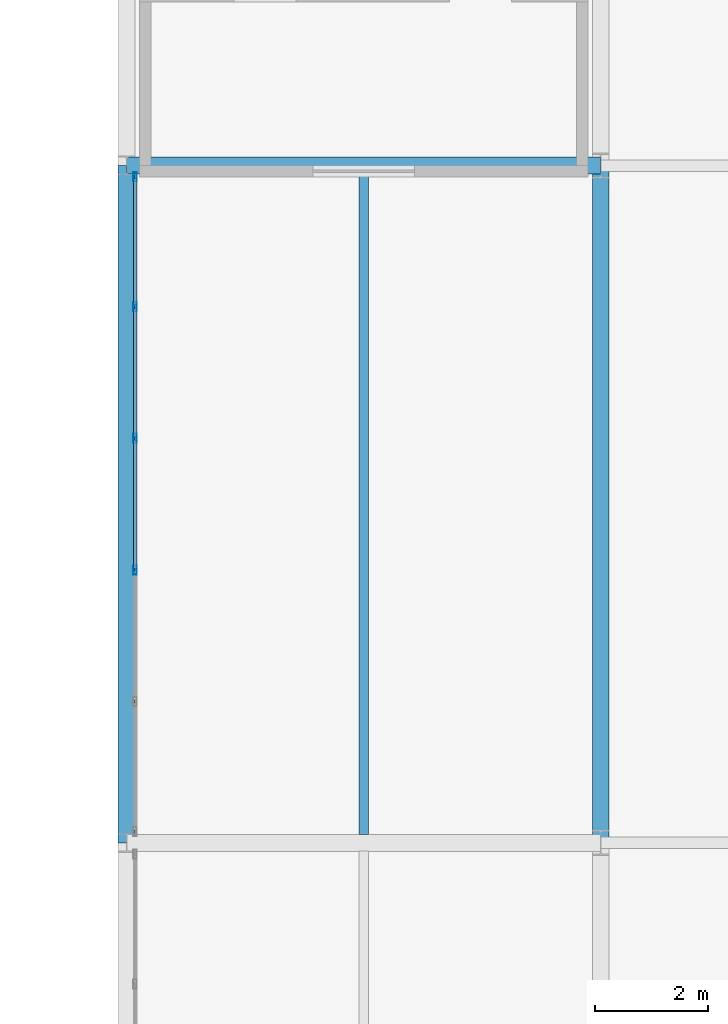
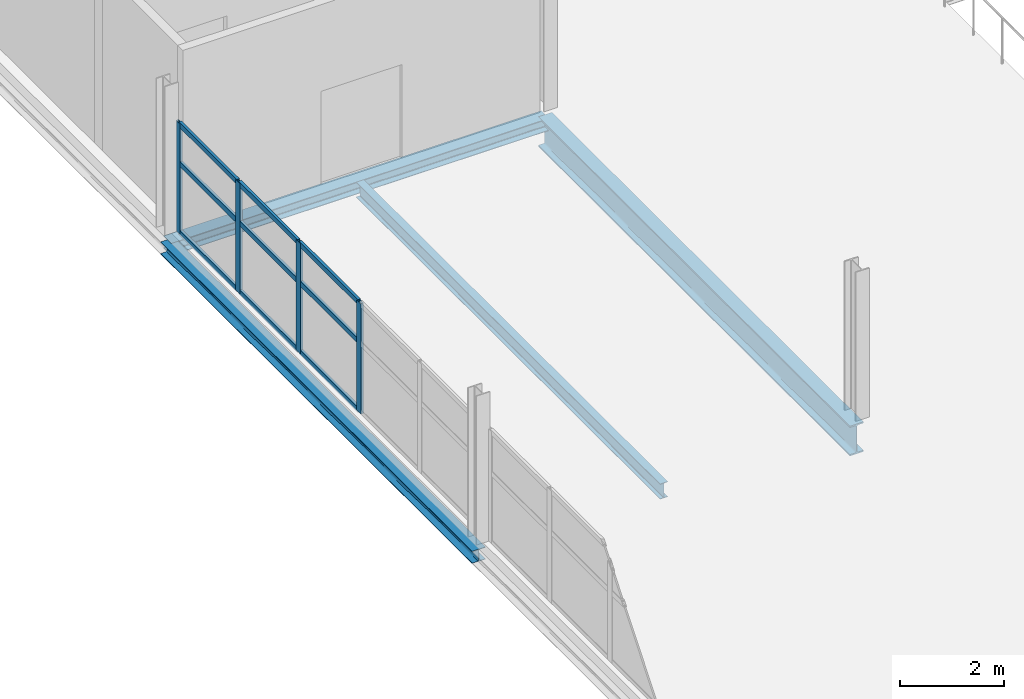
# One storey, part 31 of 103: 13 members, 4 beams, 1 element without a shape of its own.
"""IFC4 building model written with IfcOpenShell, lengths in metres."""

from ifc_helpers import new_model, si_unit, direction, frame, origin, origin_2d, place, context, subcontext, project, spatial, hollow_rectangle, i_section, extrude, material, material_profile, profile_set, type_object, element, aggregate, save


model = new_model("IFC4")

# Units and contexts
model_context = context("Model", 3, precision=1e-05, world=origin(), true_north=direction((0.0, 1.0)))
body_context = subcontext(model_context, "Body", "Model", "MODEL_VIEW")
ifc_project = project(units=[si_unit("LENGTHUNIT", "METRE"), si_unit("AREAUNIT", "SQUARE_METRE"), si_unit("VOLUMEUNIT", "CUBIC_METRE"), si_unit("PLANEANGLEUNIT", "RADIAN"), si_unit("MASSUNIT", "GRAM", prefix="KILO")], contexts=[model_context])

# Site, building, storey
site_placement = place(None, origin())
site = spatial("IfcSite", under=ifc_project, at=site_placement, CompositionType="ELEMENT")
building_placement = place(site_placement, origin())
building = spatial("IfcBuilding", under=site, at=building_placement, Name="Veltarok Museum of Natural Sciences", CompositionType="ELEMENT")
storey_placement = place(building_placement, frame((0.0, 0.0, 21.89990234375)))
storey = spatial("IfcBuildingStorey", under=building, at=storey_placement, Name="L04", CompositionType="ELEMENT", Elevation=21.89990234375)

# Curtain wall, members
ifc_material_1 = material(Name="Low-iron triple insulated glass", Category="glass")
curtain_wall_type = type_object("IfcCurtainWallType", Name="Curtain Wall System CW-V2W-L04-1-1166x259 (CW-V2W L04 1166x259cm)", PredefinedType="NOTDEFINED", material=ifc_material_1)
curtain_wall_placement = place(storey_placement, origin())
curtain_wall = element("IfcCurtainWall", 1, at=curtain_wall_placement, inside=storey, type_object=curtain_wall_type, Name="Curtain Wall CW-V2W-L04-1-1166x259 CW-0149", PredefinedType="NOTDEFINED")
ifc_material_2 = material(Name="Thermally broken anodised aluminium", Category="aluminium")
ifc_material_profile_1 = material_profile(ifc_material_2, hollow_rectangle(XDim=0.06005859375, YDim=0.1201171875, WallThickness=0.0048828125, at=origin_2d()), Name="CW TRANSOM 60x120x5")
ifc_profile_set_1 = profile_set([ifc_material_profile_1], Name="Thermally broken anodised aluminium")
member_type_1 = type_object("IfcMemberType", Name="Curtain Wall Horizontal Transom 60x120x5", PredefinedType="USERDEFINED", material=ifc_profile_set_1)
member_1_placement = place(storey_placement, frame((40.14990234375, 52.864013671875, 0.028076171875), z_axis=(0.0, 1.0, 0.0), x_axis=(-1.0, 0.0, 0.0)))
member_1 = element("IfcMember", 2, at=member_1_placement, type_object=member_type_1, Name="CW-V2W-L04-1-1166x259 transom 3.1", ObjectType="TRANSOM", PredefinedType="USERDEFINED", context=body_context, shape_type="SweptSolid", body=[
    extrude(hollow_rectangle(XDim=0.06005859375, YDim=0.1201171875, WallThickness=0.0048828125, at=origin_2d()), origin(), (0.0, 0.0, 1.0), 2.27197265625),
])
member_2_placement = place(storey_placement, frame((40.14990234375, 52.864013671875, 1.648193359375), z_axis=(0.0, 1.0, 0.0), x_axis=(-1.0, 0.0, 0.0)))
member_2 = element("IfcMember", 3, at=member_2_placement, type_object=member_type_1, Name="CW-V2W-L04-1-1166x259 transom 3.2", ObjectType="TRANSOM", PredefinedType="USERDEFINED", context=body_context, shape_type="SweptSolid", body=[
    extrude(hollow_rectangle(XDim=0.06005859375, YDim=0.1201171875, WallThickness=0.0048828125, at=origin_2d()), origin(), (0.0, 0.0, 1.0), 2.27197265625),
])
member_3_placement = place(storey_placement, frame((40.14990234375, 52.864013671875, 2.56005859375), z_axis=(0.0, 1.0, 0.0), x_axis=(-1.0, 0.0, 0.0)))
member_3 = element("IfcMember", 4, at=member_3_placement, type_object=member_type_1, Name="CW-V2W-L04-1-1166x259 transom 3.3", ObjectType="TRANSOM", PredefinedType="USERDEFINED", context=body_context, shape_type="SweptSolid", body=[
    extrude(hollow_rectangle(XDim=0.06005859375, YDim=0.1201171875, WallThickness=0.0048828125, at=origin_2d()), origin(), (0.0, 0.0, 1.0), 2.27197265625),
])
member_4_placement = place(storey_placement, frame((40.14990234375, 55.196044921875, 0.028076171875), z_axis=(0.0, 1.0, 0.0), x_axis=(-1.0, 0.0, 0.0)))
member_4 = element("IfcMember", 5, at=member_4_placement, type_object=member_type_1, Name="CW-V2W-L04-1-1166x259 transom 4.1", ObjectType="TRANSOM", PredefinedType="USERDEFINED", context=body_context, shape_type="SweptSolid", body=[
    extrude(hollow_rectangle(XDim=0.06005859375, YDim=0.1201171875, WallThickness=0.0048828125, at=origin_2d()), origin(), (0.0, 0.0, 1.0), 2.27197265625),
])
member_5_placement = place(storey_placement, frame((40.14990234375, 55.196044921875, 1.648193359375), z_axis=(0.0, 1.0, 0.0), x_axis=(-1.0, 0.0, 0.0)))
member_5 = element("IfcMember", 6, at=member_5_placement, type_object=member_type_1, Name="CW-V2W-L04-1-1166x259 transom 4.2", ObjectType="TRANSOM", PredefinedType="USERDEFINED", context=body_context, shape_type="SweptSolid", body=[
    extrude(hollow_rectangle(XDim=0.06005859375, YDim=0.1201171875, WallThickness=0.0048828125, at=origin_2d()), origin(), (0.0, 0.0, 1.0), 2.27197265625),
])
member_6_placement = place(storey_placement, frame((40.14990234375, 55.196044921875, 2.56005859375), z_axis=(0.0, 1.0, 0.0), x_axis=(-1.0, 0.0, 0.0)))
member_6 = element("IfcMember", 7, at=member_6_placement, type_object=member_type_1, Name="CW-V2W-L04-1-1166x259 transom 4.3", ObjectType="TRANSOM", PredefinedType="USERDEFINED", context=body_context, shape_type="SweptSolid", body=[
    extrude(hollow_rectangle(XDim=0.06005859375, YDim=0.1201171875, WallThickness=0.0048828125, at=origin_2d()), origin(), (0.0, 0.0, 1.0), 2.27197265625),
])
member_7_placement = place(storey_placement, frame((40.14990234375, 57.528076171875, 0.028076171875), z_axis=(0.0, 1.0, 0.0), x_axis=(-1.0, 0.0, 0.0)))
member_7 = element("IfcMember", 8, at=member_7_placement, type_object=member_type_1, Name="CW-V2W-L04-1-1166x259 transom 5.1", ObjectType="TRANSOM", PredefinedType="USERDEFINED", context=body_context, shape_type="SweptSolid", body=[
    extrude(hollow_rectangle(XDim=0.06005859375, YDim=0.1201171875, WallThickness=0.0048828125, at=origin_2d()), origin(), (0.0, 0.0, 1.0), 2.241943359375),
])
member_8_placement = place(storey_placement, frame((40.14990234375, 57.528076171875, 1.648193359375), z_axis=(0.0, 1.0, 0.0), x_axis=(-1.0, 0.0, 0.0)))
member_8 = element("IfcMember", 9, at=member_8_placement, type_object=member_type_1, Name="CW-V2W-L04-1-1166x259 transom 5.2", ObjectType="TRANSOM", PredefinedType="USERDEFINED", context=body_context, shape_type="SweptSolid", body=[
    extrude(hollow_rectangle(XDim=0.06005859375, YDim=0.1201171875, WallThickness=0.0048828125, at=origin_2d()), origin(), (0.0, 0.0, 1.0), 2.241943359375),
])
member_9_placement = place(storey_placement, frame((40.14990234375, 57.528076171875, 2.56005859375), z_axis=(0.0, 1.0, 0.0), x_axis=(-1.0, 0.0, 0.0)))
member_9 = element("IfcMember", 10, at=member_9_placement, type_object=member_type_1, Name="CW-V2W-L04-1-1166x259 transom 5.3", ObjectType="TRANSOM", PredefinedType="USERDEFINED", context=body_context, shape_type="SweptSolid", body=[
    extrude(hollow_rectangle(XDim=0.06005859375, YDim=0.1201171875, WallThickness=0.0048828125, at=origin_2d()), origin(), (0.0, 0.0, 1.0), 2.241943359375),
])
ifc_material_profile_2 = material_profile(ifc_material_2, hollow_rectangle(XDim=0.06005859375, YDim=0.159912109375, WallThickness=0.0048828125, at=origin_2d()), Name="CW MULLION 60x160x5")
ifc_profile_set_2 = profile_set([ifc_material_profile_2], Name="Thermally broken anodised aluminium")
member_type_2 = type_object("IfcMemberType", Name="Curtain Wall Vertical Mullion 60x160x5", PredefinedType="MULLION", material=ifc_profile_set_2)
member_10_placement = place(storey_placement, frame((40.14990234375, 52.833984375, -0.001953125), z_axis=(0.0, 0.0, 1.0), x_axis=(-1.0, 0.0, 0.0)))
member_10 = element("IfcMember", 11, at=member_10_placement, type_object=member_type_2, Name="CW-V2W-L04-1-1166x259 mullion 3", PredefinedType="MULLION", context=body_context, shape_type="SweptSolid", body=[
    extrude(hollow_rectangle(XDim=0.06005859375, YDim=0.159912109375, WallThickness=0.0048828125, at=origin_2d()), origin(), (0.0, 0.0, 1.0), 2.592041015625),
])
member_11_placement = place(storey_placement, frame((40.14990234375, 55.166015625, -0.001953125), z_axis=(0.0, 0.0, 1.0), x_axis=(-1.0, 0.0, 0.0)))
member_11 = element("IfcMember", 12, at=member_11_placement, type_object=member_type_2, Name="CW-V2W-L04-1-1166x259 mullion 4", PredefinedType="MULLION", context=body_context, shape_type="SweptSolid", body=[
    extrude(hollow_rectangle(XDim=0.06005859375, YDim=0.159912109375, WallThickness=0.0048828125, at=origin_2d()), origin(), (0.0, 0.0, 1.0), 2.592041015625),
])
member_12_placement = place(storey_placement, frame((40.14990234375, 57.498046875, -0.001953125), z_axis=(0.0, 0.0, 1.0), x_axis=(-1.0, 0.0, 0.0)))
member_12 = element("IfcMember", 13, at=member_12_placement, type_object=member_type_2, Name="CW-V2W-L04-1-1166x259 mullion 5", PredefinedType="MULLION", context=body_context, shape_type="SweptSolid", body=[
    extrude(hollow_rectangle(XDim=0.06005859375, YDim=0.159912109375, WallThickness=0.0048828125, at=origin_2d()), origin(), (0.0, 0.0, 1.0), 2.592041015625),
])
member_13_placement = place(storey_placement, frame((40.14990234375, 59.800048828125, -0.001953125), z_axis=(0.0, 0.0, 1.0), x_axis=(-1.0, 0.0, 0.0)))
member_13 = element("IfcMember", 14, at=member_13_placement, type_object=member_type_2, Name="CW-V2W-L04-1-1166x259 mullion 6", PredefinedType="MULLION", context=body_context, shape_type="SweptSolid", body=[
    extrude(hollow_rectangle(XDim=0.06005859375, YDim=0.159912109375, WallThickness=0.0048828125, at=origin_2d()), origin(), (0.0, 0.0, 1.0), 2.592041015625),
])
aggregate(curtain_wall, [member_10, member_11, member_12, member_13, member_1, member_2, member_3, member_4, member_5, member_6, member_7, member_8, member_9])

# Beams
ifc_material_3 = material(Name="Steel S355J2", Category="steel")
ifc_material_profile_3 = material_profile(ifc_material_3, i_section(OverallWidth=0.300048828125, OverallDepth=0.2900390625, WebThickness=0.008544921875, FlangeThickness=0.013916015625, FilletRadius=0.027099609375, at=origin_2d()), Name="HEA 300")
ifc_profile_set_3 = profile_set([ifc_material_profile_3], Name="Steel S355J2")
beam_type_1 = type_object("IfcBeamType", Name="Glazed Hall Edge Spandrel HEA 300", PredefinedType="SPANDREL", material=ifc_profile_set_3)
beam_1_placement = place(storey_placement, frame((40.0, 60.0, -0.39501953125), z_axis=(1.0, 0.0, 0.0), x_axis=(0.0, 1.0, 0.0)))
element("IfcBeam", 15, at=beam_1_placement, inside=storey, type_object=beam_type_1, Name="Beam BM-SP03 L04 5-6/G", PredefinedType="SPANDREL", context=body_context, shape_type="SweptSolid", body=[
    extrude(i_section(OverallWidth=0.300048828125, OverallDepth=0.2900390625, WebThickness=0.008544921875, FlangeThickness=0.013916015625, FilletRadius=0.027099609375, at=origin_2d()), origin(), (0.0, 0.0, 1.0), 8.39990234375),
])
beam_2_placement = place(storey_placement, frame((40.0, 48.0, -0.39501953125), z_axis=(0.0, 1.0, 0.0), x_axis=(-1.0, 0.0, 0.0)))
element("IfcBeam", 16, at=beam_2_placement, inside=storey, type_object=beam_type_1, Name="Beam BM-SP03 L04 5/F-G", PredefinedType="SPANDREL", context=body_context, shape_type="SweptSolid", body=[
    extrude(i_section(OverallWidth=0.300048828125, OverallDepth=0.2900390625, WebThickness=0.008544921875, FlangeThickness=0.013916015625, FilletRadius=0.027099609375, at=origin_2d()), origin(), (0.0, 0.0, 1.0), 12.0),
])
ifc_material_profile_4 = material_profile(ifc_material_3, i_section(OverallWidth=0.169921875, OverallDepth=0.360107421875, WebThickness=0.008056640625, FlangeThickness=0.0126953125, FilletRadius=0.01806640625, at=origin_2d()), Name="IPE 360")
ifc_profile_set_4 = profile_set([ifc_material_profile_4], Name="Steel S355J2")
beam_type_2 = type_object("IfcBeamType", Name="Long-Bay Composite Joist IPE 360", PredefinedType="JOIST", material=ifc_profile_set_4)
beam_3_placement = place(storey_placement, frame((44.199951171875, 48.14794921875, -0.429931640625), z_axis=(0.0, 1.0, 0.0), x_axis=(-1.0, 0.0, 0.0)))
element("IfcBeam", 17, at=beam_3_placement, inside=storey, type_object=beam_type_2, Name="Secondary Joist BM-J01 L04 5-6/F-G.1", PredefinedType="JOIST", context=body_context, shape_type="SweptSolid", body=[
    extrude(i_section(OverallWidth=0.169921875, OverallDepth=0.360107421875, WebThickness=0.008056640625, FlangeThickness=0.0126953125, FilletRadius=0.01806640625, at=origin_2d()), origin(), (0.0, 0.0, 1.0), 11.7041015625),
])
ifc_material_profile_5 = material_profile(ifc_material_3, i_section(OverallWidth=0.300048828125, OverallDepth=0.699951171875, WebThickness=0.01708984375, FlangeThickness=0.031982421875, FilletRadius=0.027099609375, at=origin_2d()), Name="HEB 700")
ifc_profile_set_5 = profile_set([ifc_material_profile_5], Name="Steel S355J2")
beam_type_3 = type_object("IfcBeamType", Name="Long-Span Hall Girder HEB 700", PredefinedType="BEAM", material=ifc_profile_set_5)
beam_4_placement = place(storey_placement, frame((48.39990234375, 48.0, -0.599853515625), z_axis=(0.0, 1.0, 0.0), x_axis=(-1.0, 0.0, 0.0)))
element("IfcBeam", 18, at=beam_4_placement, inside=storey, type_object=beam_type_3, Name="Beam BM-G01 L04 6/F-G", PredefinedType="BEAM", context=body_context, shape_type="SweptSolid", body=[
    extrude(i_section(OverallWidth=0.300048828125, OverallDepth=0.699951171875, WebThickness=0.01708984375, FlangeThickness=0.031982421875, FilletRadius=0.027099609375, at=origin_2d()), origin(), (0.0, 0.0, 1.0), 12.0),
])

save(model, "model.ifc")
